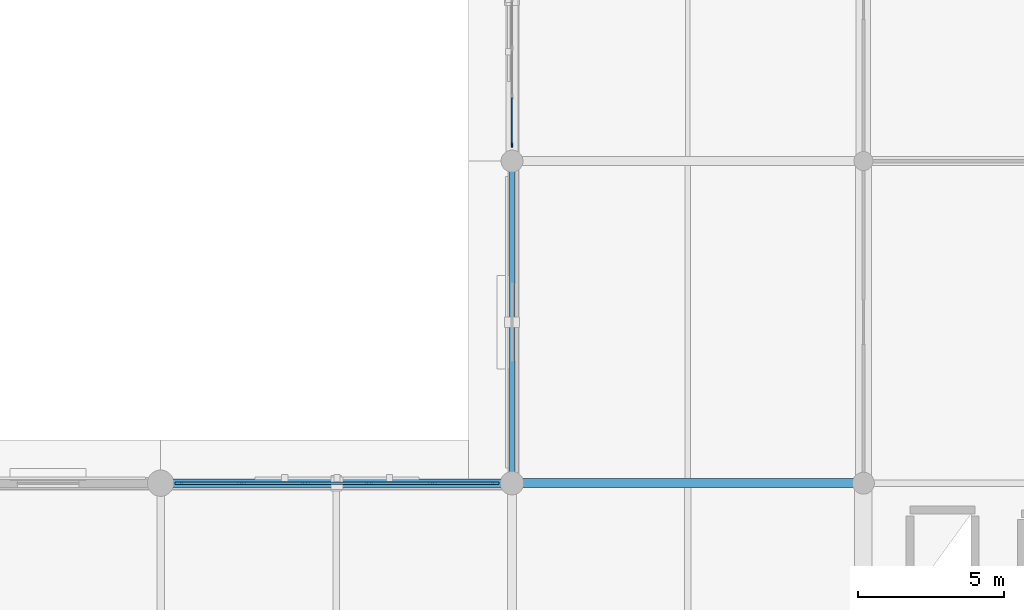
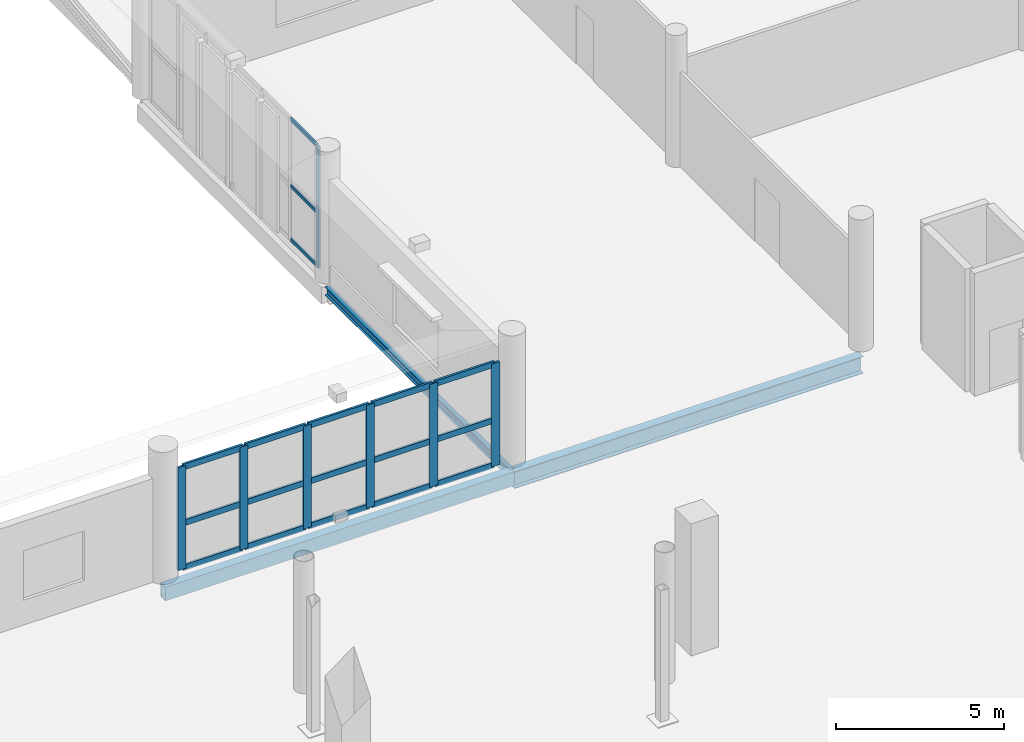
# One storey, part 66 of 143: 25 members, 3 beams, 2 elements without a shape of their own.
"""IFC4 building model written with IfcOpenShell, lengths in metres."""

from ifc_helpers import new_model, si_unit, direction, frame, origin, origin_2d, place, context, subcontext, project, spatial, rectangle, hollow_rectangle, i_section, extrude, material, material_profile, profile_set, type_object, element, aggregate, save


model = new_model("IFC4")

# Units and contexts
model_context = context("Model", 3, precision=1e-05, world=origin(), true_north=direction((0.0, 1.0)))
body_context = subcontext(model_context, "Body", "Model", "MODEL_VIEW")
ifc_project = project(units=[si_unit("LENGTHUNIT", "METRE"), si_unit("AREAUNIT", "SQUARE_METRE"), si_unit("VOLUMEUNIT", "CUBIC_METRE"), si_unit("PLANEANGLEUNIT", "RADIAN"), si_unit("MASSUNIT", "GRAM", prefix="KILO")], contexts=[model_context])

# Site, building, storey
site_placement = place(None, origin())
site = spatial("IfcSite", under=ifc_project, at=site_placement, CompositionType="ELEMENT")
building_placement = place(site_placement, origin())
building = spatial("IfcBuilding", under=site, at=building_placement, Name="Luwafu Chhajja Arena", CompositionType="ELEMENT")
storey_placement = place(building_placement, frame((0.0, 0.0, 5.39990234375)))
storey = spatial("IfcBuildingStorey", under=building, at=storey_placement, Name="L01", CompositionType="ELEMENT", Elevation=5.39990234375)

# Curtain wall, members
ifc_material_1 = material(Name="Anodised bronze aluminium", Category="aluminium")
curtain_wall_type_1 = type_object("IfcCurtainWallType", Name="Community Hall Street Curtain Wall", PredefinedType="USERDEFINED", material=ifc_material_1)
curtain_wall_1_placement = place(storey_placement, origin())
curtain_wall_1 = element("IfcCurtainWall", 1, at=curtain_wall_1_placement, inside=storey, type_object=curtain_wall_type_1, Name="L01 Curtain Wall CWG-L01-V12_10", ObjectType="CURTAIN WALL", PredefinedType="USERDEFINED")
ifc_material_profile_1 = material_profile(ifc_material_1, rectangle(XDim=0.06005859375, YDim=0.159912109375, at=origin_2d()), Name="CWM 60x160")
ifc_profile_set_1 = profile_set([ifc_material_profile_1], Name="Anodised bronze aluminium")
member_type_1 = type_object("IfcMemberType", Name="Bronze Curtain Wall Mullion 60x160", PredefinedType="MULLION", material=ifc_profile_set_1)
member_1_placement = place(storey_placement, frame((140.0, 110.544921875, 0.030029296875), z_axis=(0.0, 0.0, 1.0), x_axis=(-1.0, 0.0, 0.0)))
member_1 = element("IfcMember", 2, at=member_1_placement, type_object=member_type_1, Name="CW-09 mullion 1", PredefinedType="MULLION", context=body_context, shape_type="SweptSolid", body=[
    extrude(rectangle(XDim=0.06005859375, YDim=0.159912109375, at=origin_2d()), origin(), (0.0, 0.0, 1.0), 4.43505859375),
])
ifc_material_profile_2 = material_profile(ifc_material_1, rectangle(XDim=0.06005859375, YDim=0.1298828125, at=origin_2d()), Name="CWT 60x130")
ifc_profile_set_2 = profile_set([ifc_material_profile_2], Name="Anodised bronze aluminium")
member_type_2 = type_object("IfcMemberType", Name="Bronze Curtain Wall Transom 60x130", PredefinedType="USERDEFINED", material=ifc_profile_set_2)
member_2_placement = place(storey_placement, frame((140.0, 110.574951171875, 0.06005859375), z_axis=(0.0, 1.0, 0.0), x_axis=(-1.0, 0.0, 0.0)))
member_2 = element("IfcMember", 3, at=member_2_placement, type_object=member_type_2, Name="CW-09 transom 1.1", ObjectType="TRANSOM", PredefinedType="USERDEFINED", context=body_context, shape_type="SweptSolid", body=[
    extrude(rectangle(XDim=0.06005859375, YDim=0.1298828125, at=origin_2d()), origin(), (0.0, 0.0, 1.0), 1.580078125),
])
member_3_placement = place(storey_placement, frame((140.0, 110.574951171875, 2.00927734375), z_axis=(0.0, 1.0, 0.0), x_axis=(-1.0, 0.0, 0.0)))
member_3 = element("IfcMember", 4, at=member_3_placement, type_object=member_type_2, Name="CW-09 transom 1.2", ObjectType="TRANSOM", PredefinedType="USERDEFINED", context=body_context, shape_type="SweptSolid", body=[
    extrude(rectangle(XDim=0.06005859375, YDim=0.1298828125, at=origin_2d()), origin(), (0.0, 0.0, 1.0), 1.580078125),
])
member_4_placement = place(storey_placement, frame((140.0, 110.574951171875, 4.43505859375), z_axis=(0.0, 1.0, 0.0), x_axis=(-1.0, 0.0, 0.0)))
member_4 = element("IfcMember", 5, at=member_4_placement, type_object=member_type_2, Name="CW-09 transom 1.3", ObjectType="TRANSOM", PredefinedType="USERDEFINED", context=body_context, shape_type="SweptSolid", body=[
    extrude(rectangle(XDim=0.06005859375, YDim=0.1298828125, at=origin_2d()), origin(), (0.0, 0.0, 1.0), 1.580078125),
])
aggregate(curtain_wall_1, [member_1, member_2, member_3, member_4])

# Beam
ifc_material_2 = material(Name="Steel S355", Category="steel")
ifc_material_profile_3 = material_profile(ifc_material_2, i_section(OverallWidth=0.165771484375, OverallDepth=0.306640625, WebThickness=0.006591796875, FlangeThickness=0.01171875, at=origin_2d()), Name="UB 305x165x46")
ifc_profile_set_3 = profile_set([ifc_material_profile_3], Name="Steel S355")
beam_type_1 = type_object("IfcBeamType", Name="Concourse Edge Spandrel Beam UB 305x165x46", PredefinedType="SPANDREL", material=ifc_profile_set_3)
beam_1_placement = place(storey_placement, frame((140.0, 99.0, -0.483154296875), z_axis=(0.0, 1.0, 0.0), x_axis=(-1.0, 0.0, 0.0)))
element("IfcBeam", 6, at=beam_1_placement, inside=storey, type_object=beam_type_1, Name="L01 Grid Beam 13/K-L", PredefinedType="SPANDREL", context=body_context, shape_type="SweptSolid", body=[
    extrude(i_section(OverallWidth=0.165771484375, OverallDepth=0.306640625, WebThickness=0.006591796875, FlangeThickness=0.01171875, at=origin_2d()), origin(), (0.0, 0.0, 1.0), 11.0),
])

# Curtain wall, members
curtain_wall_type_2 = type_object("IfcCurtainWallType", Name="Pishtaq Monumental Portal Curtain Wall", PredefinedType="USERDEFINED", material=ifc_material_1)
curtain_wall_2_placement = place(storey_placement, origin())
curtain_wall_2 = element("IfcCurtainWall", 7, at=curtain_wall_2_placement, inside=storey, type_object=curtain_wall_type_2, Name="L01 Curtain Wall CWG-L01-H11_09", ObjectType="CURTAIN WALL", PredefinedType="USERDEFINED")
ifc_material_profile_4 = material_profile(ifc_material_1, rectangle(XDim=0.080078125, YDim=0.280029296875, at=origin_2d()), Name="CWM 80x280")
ifc_profile_set_4 = profile_set([ifc_material_profile_4], Name="Anodised bronze aluminium")
member_type_3 = type_object("IfcMemberType", Name="Pishtaq Portal Mullion 80x280", PredefinedType="MULLION", material=ifc_profile_set_4)
member_5_placement = place(storey_placement, frame((128.6298828125, 99.0, 0.030029296875), z_axis=(0.0, 0.0, 1.0), x_axis=(0.0, 1.0, 0.0)))
member_5 = element("IfcMember", 8, at=member_5_placement, type_object=member_type_3, Name="CW-04 mullion 1", PredefinedType="MULLION", context=body_context, shape_type="SweptSolid", body=[
    extrude(rectangle(XDim=0.080078125, YDim=0.280029296875, at=origin_2d()), origin(), (0.0, 0.0, 1.0), 3.739990234375),
])
member_6_placement = place(storey_placement, frame((130.763916015625, 99.0, 0.030029296875), z_axis=(0.0, 0.0, 1.0), x_axis=(0.0, 1.0, 0.0)))
member_6 = element("IfcMember", 9, at=member_6_placement, type_object=member_type_3, Name="CW-04 mullion 2", PredefinedType="MULLION", context=body_context, shape_type="SweptSolid", body=[
    extrude(rectangle(XDim=0.080078125, YDim=0.280029296875, at=origin_2d()), origin(), (0.0, 0.0, 1.0), 3.739990234375),
])
member_7_placement = place(storey_placement, frame((132.93798828125, 99.0, 0.030029296875), z_axis=(0.0, 0.0, 1.0), x_axis=(0.0, 1.0, 0.0)))
member_7 = element("IfcMember", 10, at=member_7_placement, type_object=member_type_3, Name="CW-04 mullion 3", PredefinedType="MULLION", context=body_context, shape_type="SweptSolid", body=[
    extrude(rectangle(XDim=0.080078125, YDim=0.280029296875, at=origin_2d()), origin(), (0.0, 0.0, 1.0), 3.739990234375),
])
member_8_placement = place(storey_placement, frame((135.112060546875, 99.0, 0.030029296875), z_axis=(0.0, 0.0, 1.0), x_axis=(0.0, 1.0, 0.0)))
member_8 = element("IfcMember", 11, at=member_8_placement, type_object=member_type_3, Name="CW-04 mullion 4", PredefinedType="MULLION", context=body_context, shape_type="SweptSolid", body=[
    extrude(rectangle(XDim=0.080078125, YDim=0.280029296875, at=origin_2d()), origin(), (0.0, 0.0, 1.0), 3.739990234375),
])
member_9_placement = place(storey_placement, frame((137.285888671875, 99.0, 0.030029296875), z_axis=(0.0, 0.0, 1.0), x_axis=(0.0, 1.0, 0.0)))
member_9 = element("IfcMember", 12, at=member_9_placement, type_object=member_type_3, Name="CW-04 mullion 5", PredefinedType="MULLION", context=body_context, shape_type="SweptSolid", body=[
    extrude(rectangle(XDim=0.080078125, YDim=0.280029296875, at=origin_2d()), origin(), (0.0, 0.0, 1.0), 3.739990234375),
])
member_10_placement = place(storey_placement, frame((139.419921875, 99.0, 0.030029296875), z_axis=(0.0, 0.0, 1.0), x_axis=(0.0, 1.0, 0.0)))
member_10 = element("IfcMember", 13, at=member_10_placement, type_object=member_type_3, Name="CW-04 mullion 6", PredefinedType="MULLION", context=body_context, shape_type="SweptSolid", body=[
    extrude(rectangle(XDim=0.080078125, YDim=0.280029296875, at=origin_2d()), origin(), (0.0, 0.0, 1.0), 3.739990234375),
])
ifc_material_profile_5 = material_profile(ifc_material_1, rectangle(XDim=0.080078125, YDim=0.2099609375, at=origin_2d()), Name="CWT 80x210")
ifc_profile_set_5 = profile_set([ifc_material_profile_5], Name="Anodised bronze aluminium")
member_type_4 = type_object("IfcMemberType", Name="Pishtaq Portal Transom 80x210", PredefinedType="USERDEFINED", material=ifc_profile_set_5)
member_11_placement = place(storey_placement, frame((128.669921875, 99.0, 0.070068359375), z_axis=(1.0, 0.0, 0.0), x_axis=(0.0, 1.0, 0.0)))
member_11 = element("IfcMember", 14, at=member_11_placement, type_object=member_type_4, Name="CW-04 transom 1.1", ObjectType="TRANSOM", PredefinedType="USERDEFINED", context=body_context, shape_type="SweptSolid", body=[
    extrude(rectangle(XDim=0.080078125, YDim=0.2099609375, at=origin_2d()), origin(), (0.0, 0.0, 1.0), 2.05419921875),
])
member_12_placement = place(storey_placement, frame((128.669921875, 99.0, 1.696533203125), z_axis=(1.0, 0.0, 0.0), x_axis=(0.0, 1.0, 0.0)))
member_12 = element("IfcMember", 15, at=member_12_placement, type_object=member_type_4, Name="CW-04 transom 1.2", ObjectType="TRANSOM", PredefinedType="USERDEFINED", context=body_context, shape_type="SweptSolid", body=[
    extrude(rectangle(XDim=0.080078125, YDim=0.2099609375, at=origin_2d()), origin(), (0.0, 0.0, 1.0), 2.05419921875),
])
member_13_placement = place(storey_placement, frame((128.669921875, 99.0, 3.72998046875), z_axis=(1.0, 0.0, 0.0), x_axis=(0.0, 1.0, 0.0)))
member_13 = element("IfcMember", 16, at=member_13_placement, type_object=member_type_4, Name="CW-04 transom 1.3", ObjectType="TRANSOM", PredefinedType="USERDEFINED", context=body_context, shape_type="SweptSolid", body=[
    extrude(rectangle(XDim=0.080078125, YDim=0.2099609375, at=origin_2d()), origin(), (0.0, 0.0, 1.0), 2.05419921875),
])
member_14_placement = place(storey_placement, frame((130.803955078125, 99.0, 0.070068359375), z_axis=(1.0, 0.0, 0.0), x_axis=(0.0, 1.0, 0.0)))
member_14 = element("IfcMember", 17, at=member_14_placement, type_object=member_type_4, Name="CW-04 transom 2.1", ObjectType="TRANSOM", PredefinedType="USERDEFINED", context=body_context, shape_type="SweptSolid", body=[
    extrude(rectangle(XDim=0.080078125, YDim=0.2099609375, at=origin_2d()), origin(), (0.0, 0.0, 1.0), 2.093994140625),
])
member_15_placement = place(storey_placement, frame((130.803955078125, 99.0, 1.696533203125), z_axis=(1.0, 0.0, 0.0), x_axis=(0.0, 1.0, 0.0)))
member_15 = element("IfcMember", 18, at=member_15_placement, type_object=member_type_4, Name="CW-04 transom 2.2", ObjectType="TRANSOM", PredefinedType="USERDEFINED", context=body_context, shape_type="SweptSolid", body=[
    extrude(rectangle(XDim=0.080078125, YDim=0.2099609375, at=origin_2d()), origin(), (0.0, 0.0, 1.0), 2.093994140625),
])
member_16_placement = place(storey_placement, frame((130.803955078125, 99.0, 3.72998046875), z_axis=(1.0, 0.0, 0.0), x_axis=(0.0, 1.0, 0.0)))
member_16 = element("IfcMember", 19, at=member_16_placement, type_object=member_type_4, Name="CW-04 transom 2.3", ObjectType="TRANSOM", PredefinedType="USERDEFINED", context=body_context, shape_type="SweptSolid", body=[
    extrude(rectangle(XDim=0.080078125, YDim=0.2099609375, at=origin_2d()), origin(), (0.0, 0.0, 1.0), 2.093994140625),
])
member_17_placement = place(storey_placement, frame((132.97802734375, 99.0, 0.070068359375), z_axis=(1.0, 0.0, 0.0), x_axis=(0.0, 1.0, 0.0)))
member_17 = element("IfcMember", 20, at=member_17_placement, type_object=member_type_4, Name="CW-04 transom 3.1", ObjectType="TRANSOM", PredefinedType="USERDEFINED", context=body_context, shape_type="SweptSolid", body=[
    extrude(rectangle(XDim=0.080078125, YDim=0.2099609375, at=origin_2d()), origin(), (0.0, 0.0, 1.0), 2.093994140625),
])
member_18_placement = place(storey_placement, frame((132.97802734375, 99.0, 1.696533203125), z_axis=(1.0, 0.0, 0.0), x_axis=(0.0, 1.0, 0.0)))
member_18 = element("IfcMember", 21, at=member_18_placement, type_object=member_type_4, Name="CW-04 transom 3.2", ObjectType="TRANSOM", PredefinedType="USERDEFINED", context=body_context, shape_type="SweptSolid", body=[
    extrude(rectangle(XDim=0.080078125, YDim=0.2099609375, at=origin_2d()), origin(), (0.0, 0.0, 1.0), 2.093994140625),
])
member_19_placement = place(storey_placement, frame((132.97802734375, 99.0, 3.72998046875), z_axis=(1.0, 0.0, 0.0), x_axis=(0.0, 1.0, 0.0)))
member_19 = element("IfcMember", 22, at=member_19_placement, type_object=member_type_4, Name="CW-04 transom 3.3", ObjectType="TRANSOM", PredefinedType="USERDEFINED", context=body_context, shape_type="SweptSolid", body=[
    extrude(rectangle(XDim=0.080078125, YDim=0.2099609375, at=origin_2d()), origin(), (0.0, 0.0, 1.0), 2.093994140625),
])
member_20_placement = place(storey_placement, frame((135.152099609375, 99.0, 0.070068359375), z_axis=(1.0, 0.0, 0.0), x_axis=(0.0, 1.0, 0.0)))
member_20 = element("IfcMember", 23, at=member_20_placement, type_object=member_type_4, Name="CW-04 transom 4.1", ObjectType="TRANSOM", PredefinedType="USERDEFINED", context=body_context, shape_type="SweptSolid", body=[
    extrude(rectangle(XDim=0.080078125, YDim=0.2099609375, at=origin_2d()), origin(), (0.0, 0.0, 1.0), 2.093994140625),
])
member_21_placement = place(storey_placement, frame((135.152099609375, 99.0, 1.696533203125), z_axis=(1.0, 0.0, 0.0), x_axis=(0.0, 1.0, 0.0)))
member_21 = element("IfcMember", 24, at=member_21_placement, type_object=member_type_4, Name="CW-04 transom 4.2", ObjectType="TRANSOM", PredefinedType="USERDEFINED", context=body_context, shape_type="SweptSolid", body=[
    extrude(rectangle(XDim=0.080078125, YDim=0.2099609375, at=origin_2d()), origin(), (0.0, 0.0, 1.0), 2.093994140625),
])
member_22_placement = place(storey_placement, frame((135.152099609375, 99.0, 3.72998046875), z_axis=(1.0, 0.0, 0.0), x_axis=(0.0, 1.0, 0.0)))
member_22 = element("IfcMember", 25, at=member_22_placement, type_object=member_type_4, Name="CW-04 transom 4.3", ObjectType="TRANSOM", PredefinedType="USERDEFINED", context=body_context, shape_type="SweptSolid", body=[
    extrude(rectangle(XDim=0.080078125, YDim=0.2099609375, at=origin_2d()), origin(), (0.0, 0.0, 1.0), 2.093994140625),
])
member_23_placement = place(storey_placement, frame((137.325927734375, 99.0, 0.070068359375), z_axis=(1.0, 0.0, 0.0), x_axis=(0.0, 1.0, 0.0)))
member_23 = element("IfcMember", 26, at=member_23_placement, type_object=member_type_4, Name="CW-04 transom 5.1", ObjectType="TRANSOM", PredefinedType="USERDEFINED", context=body_context, shape_type="SweptSolid", body=[
    extrude(rectangle(XDim=0.080078125, YDim=0.2099609375, at=origin_2d()), origin(), (0.0, 0.0, 1.0), 2.053955078125),
])
member_24_placement = place(storey_placement, frame((137.325927734375, 99.0, 1.696533203125), z_axis=(1.0, 0.0, 0.0), x_axis=(0.0, 1.0, 0.0)))
member_24 = element("IfcMember", 27, at=member_24_placement, type_object=member_type_4, Name="CW-04 transom 5.2", ObjectType="TRANSOM", PredefinedType="USERDEFINED", context=body_context, shape_type="SweptSolid", body=[
    extrude(rectangle(XDim=0.080078125, YDim=0.2099609375, at=origin_2d()), origin(), (0.0, 0.0, 1.0), 2.053955078125),
])
member_25_placement = place(storey_placement, frame((137.325927734375, 99.0, 3.72998046875), z_axis=(1.0, 0.0, 0.0), x_axis=(0.0, 1.0, 0.0)))
member_25 = element("IfcMember", 28, at=member_25_placement, type_object=member_type_4, Name="CW-04 transom 5.3", ObjectType="TRANSOM", PredefinedType="USERDEFINED", context=body_context, shape_type="SweptSolid", body=[
    extrude(rectangle(XDim=0.080078125, YDim=0.2099609375, at=origin_2d()), origin(), (0.0, 0.0, 1.0), 2.053955078125),
])
aggregate(curtain_wall_2, [member_5, member_6, member_7, member_8, member_9, member_10, member_11, member_12, member_13, member_14, member_15, member_16, member_17, member_18, member_19, member_20, member_21, member_22, member_23, member_24, member_25])

# Beams
ifc_material_profile_6 = material_profile(ifc_material_2, hollow_rectangle(XDim=0.300048828125, YDim=0.5, WallThickness=0.02001953125, at=origin_2d()), Name="RHS 500x300x20")
ifc_profile_set_6 = profile_set([ifc_material_profile_6], Name="Steel S355")
beam_type_2 = type_object("IfcBeamType", Name="Pleated Drum Spandrel Beam RHS 500x300", PredefinedType="SPANDREL", material=ifc_profile_set_6)
beam_2_placement = place(storey_placement, frame((128.0, 99.0, -0.579833984375), z_axis=(1.0, 0.0, 0.0), x_axis=(0.0, 1.0, 0.0)))
element("IfcBeam", 29, at=beam_2_placement, inside=storey, type_object=beam_type_2, Name="L01 Grid Beam 12-13/K", PredefinedType="SPANDREL", context=body_context, shape_type="SweptSolid", body=[
    extrude(hollow_rectangle(XDim=0.300048828125, YDim=0.5, WallThickness=0.02001953125, at=origin_2d()), origin(), (0.0, 0.0, 1.0), 12.0),
])
ifc_material_profile_7 = material_profile(ifc_material_2, i_section(OverallWidth=0.30712890625, OverallDepth=0.6201171875, WebThickness=0.01416015625, FlangeThickness=0.023681640625, at=origin_2d()), Name="UB 610x305x179")
ifc_profile_set_7 = profile_set([ifc_material_profile_7], Name="Steel S355")
beam_type_3 = type_object("IfcBeamType", Name="Steel Hospitality Girder UB 610x305x179", PredefinedType="BEAM", material=ifc_profile_set_7)
beam_3_placement = place(storey_placement, frame((140.0, 99.0, -0.639892578125), z_axis=(1.0, 0.0, 0.0), x_axis=(0.0, 1.0, 0.0)))
element("IfcBeam", 30, at=beam_3_placement, inside=storey, type_object=beam_type_3, Name="L01 Grid Beam 13-14/K", PredefinedType="BEAM", context=body_context, shape_type="SweptSolid", body=[
    extrude(i_section(OverallWidth=0.30712890625, OverallDepth=0.6201171875, WebThickness=0.01416015625, FlangeThickness=0.023681640625, at=origin_2d()), origin(), (0.0, 0.0, 1.0), 12.0),
])

save(model, "model.ifc")
